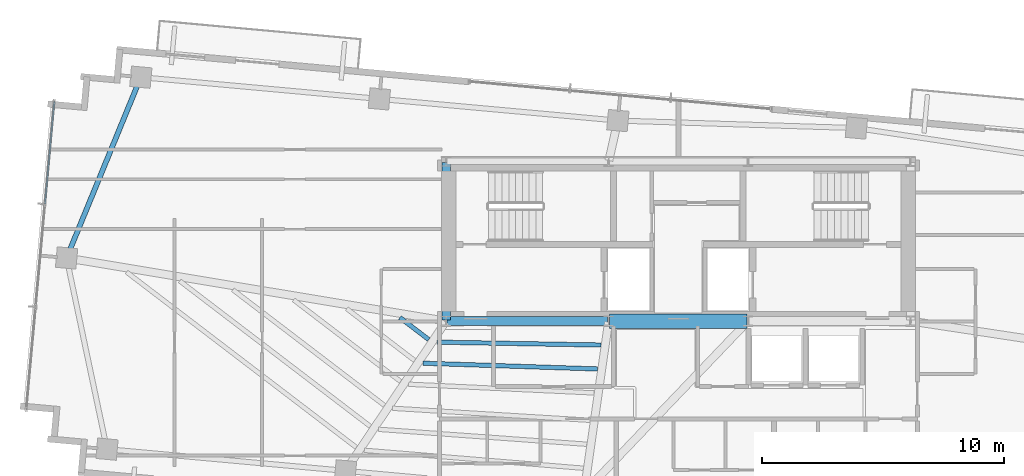
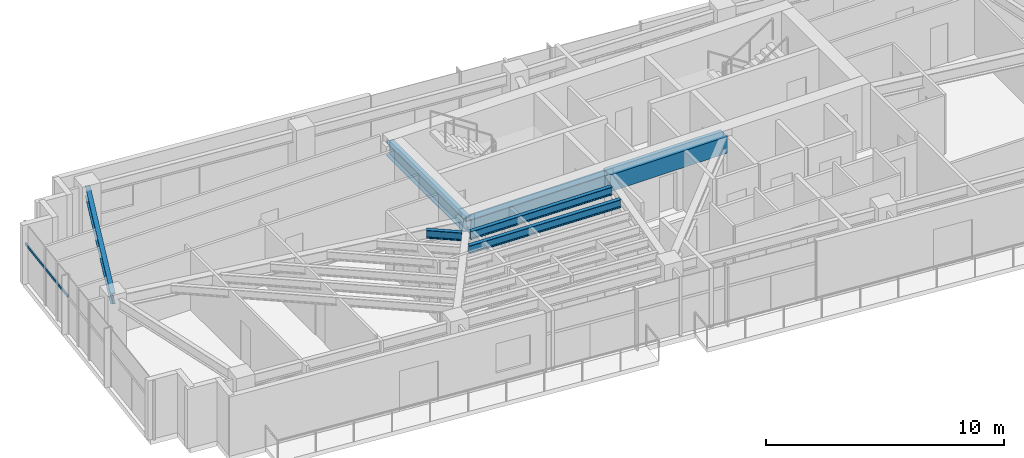
# One storey, part 8 of 22: 7 beams, 1 member, 1 element without a shape of its own.
"""IFC4 building model written with IfcOpenShell, lengths in metres."""

from ifc_helpers import new_model, si_unit, direction, frame, origin, origin_2d, place, context, subcontext, project, spatial, rectangle, hollow_rectangle, i_section, extrude, source, transform, mapped, material, material_profile, profile_set, type_object, type_shapes, element, aggregate, save


model = new_model("IFC4")

# Units and contexts
model_context = context("Model", 3, precision=1e-05, world=origin(), true_north=direction((0.0, 1.0)))
body_context = subcontext(model_context, "Body", "Model", "MODEL_VIEW")
ifc_project = project(units=[si_unit("LENGTHUNIT", "METRE"), si_unit("AREAUNIT", "SQUARE_METRE"), si_unit("VOLUMEUNIT", "CUBIC_METRE"), si_unit("PLANEANGLEUNIT", "RADIAN"), si_unit("MASSUNIT", "GRAM", prefix="KILO")], contexts=[model_context])

# Site, building, storey
site_placement = place(None, origin())
site = spatial("IfcSite", under=ifc_project, at=site_placement, CompositionType="ELEMENT")
building_placement = place(site_placement, origin())
building = spatial("IfcBuilding", under=site, at=building_placement, Name="Astriad Promenade Condominiums", CompositionType="ELEMENT")
storey_placement = place(building_placement, frame((0.0, 0.0, 239.699951171875)))
storey = spatial("IfcBuildingStorey", under=building, at=storey_placement, Name="L69", CompositionType="ELEMENT", Elevation=239.699951171875)

# Beams
ifc_material_1 = material(Name="Steel ASTM A992 Grade 50", Category="steel")
ifc_material_profile_1 = material_profile(ifc_material_1, i_section(OverallWidth=0.3837890625, OverallDepth=0.785888671875, WebThickness=0.019775390625, FlangeThickness=0.033447265625, FilletRadius=0.021484375, at=origin_2d()), Name="W30X211")
ifc_profile_set_1 = profile_set([ifc_material_profile_1], Name="Steel ASTM A992 Grade 50")
beam_type_1 = type_object("IfcBeamType", Name="STEEL FLOOR GIRDER W30X211", PredefinedType="BEAM", material=ifc_profile_set_1)
shared_shape_1 = source(origin(), body_context, "Body", "SweptSolid", [
    extrude(i_section(OverallWidth=0.3837890625, OverallDepth=0.785888671875, WebThickness=0.019775390625, FlangeThickness=0.033447265625, FilletRadius=0.021484375, at=origin_2d()), origin(), (0.0, 0.0, 1.0), 6.64013671875),
])
type_shapes(beam_type_1, [shared_shape_1])
beam_1_placement = place(storey_placement, frame((26.43994140625, 17.39990234375, 2.64697265625), z_axis=(1.0, 0.0, 0.0), x_axis=(0.0, 1.0, 0.0)))
element("IfcBeam", 1, at=beam_1_placement, inside=storey, type_object=beam_type_1, Name="Core Ring Beam CG-S1-L69", PredefinedType="BEAM", context=body_context, shape_type="MappedRepresentation", body=[
    mapped(shared_shape_1, transform((0.0, 0.0, 0.0), scale=1.0)),
])
ifc_material_profile_2 = material_profile(ifc_material_1, i_section(OverallWidth=0.35791015625, OverallDepth=0.706298828125, WebThickness=0.018310546875, FlangeThickness=0.0302734375, FilletRadius=0.020263671875, at=origin_2d()), Name="W27X178")
ifc_profile_set_2 = profile_set([ifc_material_profile_2], Name="Steel ASTM A992 Grade 50")
beam_type_2 = type_object("IfcBeamType", Name="STEEL FLOOR GIRDER W27X178", PredefinedType="BEAM", material=ifc_profile_set_2)
shared_shape_2 = source(origin(), body_context, "Body", "SweptSolid", [
    extrude(i_section(OverallWidth=0.35791015625, OverallDepth=0.706298828125, WebThickness=0.018310546875, FlangeThickness=0.0302734375, FilletRadius=0.020263671875, at=origin_2d()), origin(), (0.0, 0.0, 1.0), 6.52001953125),
])
type_shapes(beam_type_2, [shared_shape_2])
beam_2_placement = place(storey_placement, frame((26.39990234375, 17.43994140625, 2.686767578125), z_axis=(0.0, 1.0, 0.0), x_axis=(-1.0, 0.0, 0.0)))
element("IfcBeam", 2, at=beam_2_placement, inside=storey, type_object=beam_type_2, Name="Core Ring Beam CG-W1-L69", PredefinedType="BEAM", context=body_context, shape_type="MappedRepresentation", body=[
    mapped(shared_shape_2, transform((0.0, 0.0, 0.0), scale=1.0)),
])
ifc_material_2 = material(Name="Concrete C60/75", Category="concrete")
ifc_material_profile_3 = material_profile(ifc_material_2, rectangle(XDim=0.60009765625, YDim=0.85009765625, at=origin_2d()), Name="RC-BM-600X850")
ifc_profile_set_3 = profile_set([ifc_material_profile_3], Name="Concrete C60/75")
beam_type_3 = type_object("IfcBeamType", Name="CONCRETE CORE COUPLING LINTEL 600X850", PredefinedType="LINTEL", material=ifc_profile_set_3)
shared_shape_3 = source(origin(), body_context, "Body", "SweptSolid", [
    extrude(rectangle(XDim=0.60009765625, YDim=0.85009765625, at=origin_2d()), origin(), (0.0, 0.0, 1.0), 5.68017578125),
])
type_shapes(beam_type_3, [shared_shape_3])
beam_3_placement = place(storey_placement, frame((33.159912109375, 17.39990234375, 2.614990234375), z_axis=(1.0, 0.0, 0.0), x_axis=(0.0, 1.0, 0.0)))
element("IfcBeam", 3, at=beam_3_placement, inside=storey, type_object=beam_type_3, Name="Core Ring Beam CG-S2-L69", PredefinedType="LINTEL", context=body_context, shape_type="MappedRepresentation", body=[
    mapped(shared_shape_3, transform((0.0, 0.0, 0.0), scale=1.0)),
])
ifc_material_profile_4 = material_profile(ifc_material_1, i_section(OverallWidth=0.210693359375, OverallDepth=0.53955078125, WebThickness=0.01171875, FlangeThickness=0.018798828125, FilletRadius=0.0166015625, at=origin_2d()), Name="W21X73")
ifc_profile_set_4 = profile_set([ifc_material_profile_4], Name="Steel ASTM A992 Grade 50")
beam_type_4 = type_object("IfcBeamType", Name="STEEL SPANDREL BEAM W21X73", PredefinedType="SPANDREL", material=ifc_profile_set_4)
shared_shape_4 = source(origin(), body_context, "Body", "SweptSolid", [
    extrude(i_section(OverallWidth=0.210693359375, OverallDepth=0.53955078125, WebThickness=0.01171875, FlangeThickness=0.018798828125, FilletRadius=0.0166015625, at=origin_2d()), origin(), (0.0, 0.0, 1.0), 7.998779296875),
])
type_shapes(beam_type_4, [shared_shape_4])
beam_4_placement = place(storey_placement, frame((13.76611328125, 27.44580078125, 2.770263671875), z_axis=(-0.38000513148, -0.924984378273, 0.0), x_axis=(0.924984378273, -0.38000513148, 0.0)))
element("IfcBeam", 4, at=beam_4_placement, inside=storey, type_object=beam_type_4, Name="Perimeter Spandrel Beam SP-W2-L69", PredefinedType="SPANDREL", context=body_context, shape_type="MappedRepresentation", body=[
    mapped(shared_shape_4, transform((0.0, 0.0, 0.0), scale=1.0)),
])
ifc_material_profile_5 = material_profile(ifc_material_1, i_section(OverallWidth=0.180908203125, OverallDepth=0.417236328125, WebThickness=0.010986328125, FlangeThickness=0.018310546875, FilletRadius=0.013916015625, at=origin_2d()), Name="W16X57")
ifc_profile_set_5 = profile_set([ifc_material_profile_5], Name="Steel ASTM A992 Grade 50")
beam_type_5 = type_object("IfcBeamType", Name="STEEL FLOOR JOIST W16X57", PredefinedType="JOIST", material=ifc_profile_set_5)
shared_shape_5 = source(origin(), body_context, "Body", "SweptSolid", [
    extrude(i_section(OverallWidth=0.180908203125, OverallDepth=0.417236328125, WebThickness=0.010986328125, FlangeThickness=0.018310546875, FilletRadius=0.013916015625, at=origin_2d()), origin(), (0.0, 0.0, 1.0), 1.497314453125),
])
beam_5_placement = place(storey_placement, frame((24.489501953125, 17.547119140625, 2.83154296875), z_axis=(0.79482500583, -0.606838701887, 0.0), x_axis=(0.606838701887, 0.79482500583, 0.0)))
element("IfcBeam", 5, at=beam_5_placement, inside=storey, type_object=beam_type_5, Name="Secondary Composite Floor Joist JW1-6-L69", PredefinedType="JOIST", context=body_context, shape_type="MappedRepresentation", body=[
    mapped(shared_shape_5, transform((0.0, 0.0, 0.0), scale=1.0)),
])
shared_shape_6 = source(origin(), body_context, "Body", "SweptSolid", [
    extrude(i_section(OverallWidth=0.180908203125, OverallDepth=0.417236328125, WebThickness=0.010986328125, FlangeThickness=0.018310546875, FilletRadius=0.013916015625, at=origin_2d()), origin(), (0.0, 0.0, 1.0), 7.226318359375),
])
beam_6_placement = place(storey_placement, frame((25.43798828125, 15.659912109375, 2.83154296875), z_axis=(0.999453981353, -0.033041476313, 0.0), x_axis=(0.033041476313, 0.999453981353, 0.0)))
element("IfcBeam", 6, at=beam_6_placement, inside=storey, type_object=beam_type_5, Name="Secondary Composite Floor Joist JCW-5-L69", PredefinedType="JOIST", context=body_context, shape_type="MappedRepresentation", body=[
    mapped(shared_shape_6, transform((0.0, 0.0, 0.0), scale=1.0)),
])
shared_shape_7 = source(origin(), body_context, "Body", "SweptSolid", [
    extrude(i_section(OverallWidth=0.180908203125, OverallDepth=0.417236328125, WebThickness=0.010986328125, FlangeThickness=0.018310546875, FilletRadius=0.013916015625, at=origin_2d()), origin(), (0.0, 0.0, 1.0), 6.781494140625),
])
type_shapes(beam_type_5, [shared_shape_5, shared_shape_6, shared_shape_7])
beam_7_placement = place(storey_placement, frame((26.022216796875, 16.52978515625, 2.83154296875), z_axis=(0.999845665325, -0.017568310398, 0.0), x_axis=(0.017568310398, 0.999845665325, 0.0)))
element("IfcBeam", 7, at=beam_7_placement, inside=storey, type_object=beam_type_5, Name="Secondary Composite Floor Joist JCW-6-L69", PredefinedType="JOIST", context=body_context, shape_type="MappedRepresentation", body=[
    mapped(shared_shape_7, transform((0.0, 0.0, 0.0), scale=1.0)),
])

# Curtain wall, member
ifc_material_3 = material(Name="Anodised aluminium Black Dark Glass Unitised", Category="aluminium")
curtain_wall_type = type_object("IfcCurtainWallType", Name="CW-B5-DARK", PredefinedType="USERDEFINED", material=ifc_material_3)
curtain_wall_placement = place(storey_placement, origin())
curtain_wall = element("IfcCurtainWall", 8, at=curtain_wall_placement, inside=storey, type_object=curtain_wall_type, Name="CW-L69-W", ObjectType="UNITISED_CURTAIN_WALL", PredefinedType="USERDEFINED")
ifc_material_4 = material(Name="Anodised aluminium 6063-T6 Black", Category="aluminium")
ifc_material_profile_6 = material_profile(ifc_material_4, hollow_rectangle(XDim=0.06494140625, YDim=0.1298828125, WallThickness=0.00390625, at=origin_2d()), Name="ALU-TRN-65X130")
ifc_profile_set_6 = profile_set([ifc_material_profile_6], Name="Anodised aluminium 6063-T6 Black")
member_type = type_object("IfcMemberType", Name="TRN-ALU-TRN-65X130", PredefinedType="USERDEFINED", material=ifc_profile_set_6)
shared_shape_8 = source(origin(), body_context, "Body", "SweptSolid", [
    extrude(hollow_rectangle(XDim=0.06494140625, YDim=0.1298828125, WallThickness=0.00390625, at=origin_2d()), origin(), (0.0, 0.0, 1.0), 4.2666015625),
])
type_shapes(member_type, [shared_shape_8])
member_placement = place(storey_placement, frame((9.819091796875, 22.233642578125, 1.884765625), z_axis=(0.090638931954, 0.99588382054, 0.0), x_axis=(-0.99588382054, 0.090638931954, 0.0)))
member = element("IfcMember", 9, at=member_placement, type_object=member_type, Name="CW-L69-W-TRN-02-0", ObjectType="TRANSOM", PredefinedType="USERDEFINED", context=body_context, shape_type="MappedRepresentation", body=[
    mapped(shared_shape_8, transform((0.0, 0.0, 0.0), scale=1.0)),
])
aggregate(curtain_wall, [member])

save(model, "model.ifc")
